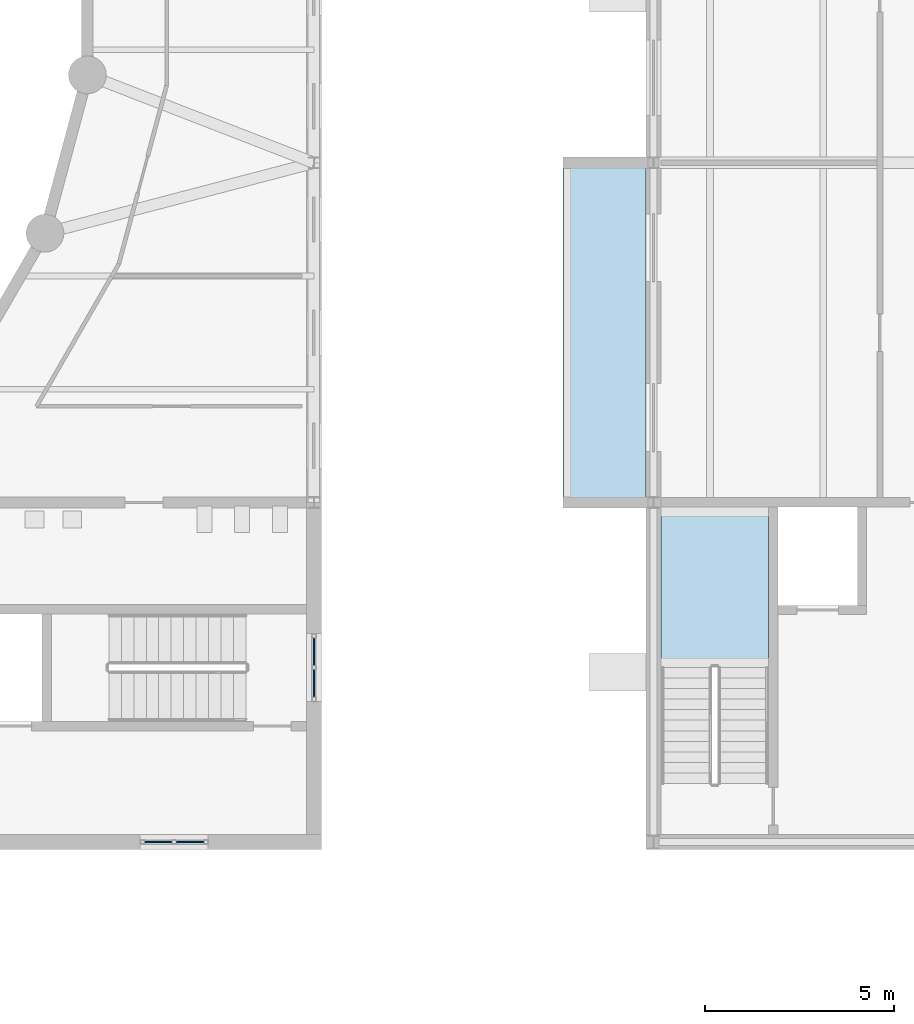
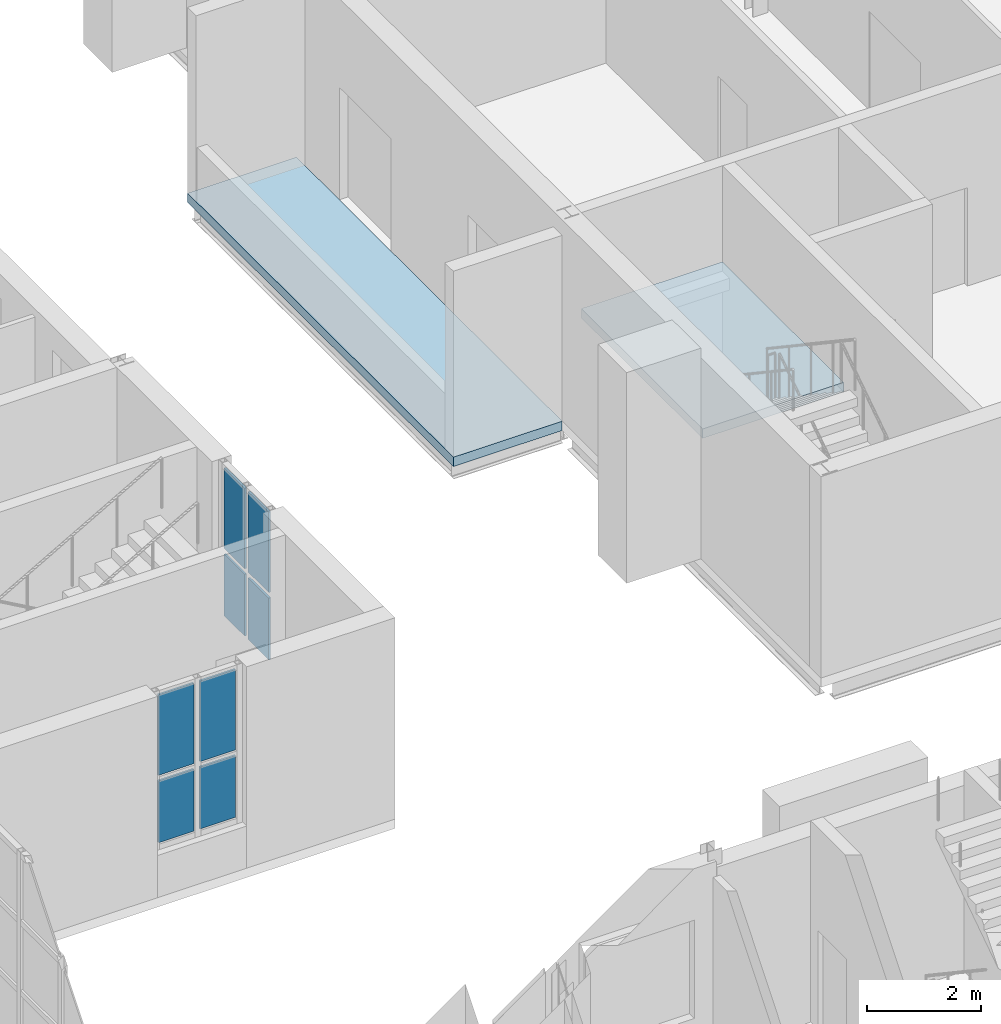
# One storey, part 66 of 134: 8 plates, 2 slabs, 3 elements without a shape of their own.
"""IFC4 building model written with IfcOpenShell, lengths in metres."""

from ifc_helpers import new_model, si_unit, direction, frame, origin, origin_2d, place, context, subcontext, project, spatial, polyline, rectangle, outline, extrude, material, layer, layer_set, type_object, element, aggregate, save


model = new_model("IFC4")

# Units and contexts
model_context = context("Model", 3, precision=1e-05, world=origin(), true_north=direction((0.0, 1.0)))
body_context = subcontext(model_context, "Body", "Model", "MODEL_VIEW")
ifc_project = project(units=[si_unit("LENGTHUNIT", "METRE"), si_unit("AREAUNIT", "SQUARE_METRE"), si_unit("VOLUMEUNIT", "CUBIC_METRE"), si_unit("PLANEANGLEUNIT", "RADIAN"), si_unit("MASSUNIT", "GRAM", prefix="KILO")], contexts=[model_context])

# Site, building, storey
site_placement = place(None, origin())
site = spatial("IfcSite", under=ifc_project, at=site_placement, CompositionType="ELEMENT")
building_placement = place(site_placement, origin())
building = spatial("IfcBuilding", under=site, at=building_placement, Name="Golden Quay Civic Hall", CompositionType="ELEMENT")
storey_placement = place(building_placement, frame((0.0, 0.0, 5.39990234375)))
storey = spatial("IfcBuildingStorey", under=building, at=storey_placement, Name="L01", CompositionType="ELEMENT", Elevation=5.39990234375)

# Stair, slab
ifc_material_1 = material(Name="Concrete C40/50", Category="concrete")
stair_type = type_object("IfcStairType", Name="Concrete half-turn stair 24 risers", PredefinedType="HALF_TURN_STAIR", material=ifc_material_1)
stair_placement = place(storey_placement, origin())
stair = element("IfcStair", 1, at=stair_placement, inside=storey, type_object=stair_type, Name="L01 Protected Exit Stair LB-W", PredefinedType="HALF_TURN_STAIR")
ifc_material_2 = material(Name="Concrete C35/45", Category="concrete")
ifc_layer_1 = layer(ifc_material_2, 0.199951171875)
ifc_layer_set_1 = layer_set([ifc_layer_1], Name="Concrete stair landing 200, Concrete C35/45")
slab_type_1 = type_object("IfcSlabType", Name="Concrete stair landing 200", PredefinedType="LANDING", material=ifc_layer_set_1)
slab_1_placement = place(storey_placement, frame((0.0, 0.0, 2.050048828125)))
slab_1 = element("IfcSlab", 2, at=slab_1_placement, type_object=slab_type_1, Name="LB-STW landing 1", PredefinedType="LANDING", context=body_context, shape_type="SweptSolid", body=[
    extrude(outline(polyline([(120.050048828125, 67.6298828125), (120.050048828125, 71.875), (117.199951171875, 71.875), (117.199951171875, 67.6298828125), (120.050048828125, 67.6298828125)])), origin(), (0.0, 0.0, 1.0), 0.199951171875),
])
aggregate(stair, [slab_1])

# Curtain wall, plates
ifc_material_3 = material(Name="Fire-resisting glass and steel", Category="steel")
curtain_wall_type = type_object("IfcCurtainWallType", Name="Fire-resisting glazed stair curtain wall EI 120", PredefinedType="NOTDEFINED", material=ifc_material_3)
curtain_wall_1_placement = place(storey_placement, origin())
curtain_wall_1 = element("IfcCurtainWall", 3, at=curtain_wall_1_placement, inside=storey, type_object=curtain_wall_type, Name="CW4 stair curtain wall", PredefinedType="NOTDEFINED")
ifc_material_4 = material(Name="Fire-resisting laminated glass", Category="glass")
ifc_layer_2 = layer(ifc_material_4, 0.0400390625)
ifc_layer_set_2 = layer_set([ifc_layer_2], Name="Fire-resisting glazed stair panel 40")
plate_type = type_object("IfcPlateType", Name="Fire-resisting glazed stair panel 40", PredefinedType="CURTAIN_PANEL", material=ifc_layer_set_2)
plate_1_placement = place(storey_placement, frame((103.8798828125, 63.0, 1.02001953125), z_axis=(0.0, 0.0, 1.0), x_axis=(1.0, 0.0, 0.0)))
plate_1 = element("IfcPlate", 4, at=plate_1_placement, type_object=plate_type, Name="CW4 panel 1.1", PredefinedType="CURTAIN_PANEL", context=body_context, shape_type="SweptSolid", body=[
    extrude(rectangle(XDim=0.719970703125, YDim=0.0400390625, at=origin_2d()), origin(), (0.0, 0.0, 1.0), 1.320068359375),
])
plate_2_placement = place(storey_placement, frame((103.8798828125, 63.0, 2.4599609375), z_axis=(0.0, 0.0, 1.0), x_axis=(1.0, 0.0, 0.0)))
plate_2 = element("IfcPlate", 5, at=plate_2_placement, type_object=plate_type, Name="CW4 panel 1.2", PredefinedType="CURTAIN_PANEL", context=body_context, shape_type="SweptSolid", body=[
    extrude(rectangle(XDim=0.719970703125, YDim=0.0400390625, at=origin_2d()), origin(), (0.0, 0.0, 1.0), 1.719970703125),
])
plate_3_placement = place(storey_placement, frame((104.719970703125, 63.0, 1.02001953125), z_axis=(0.0, 0.0, 1.0), x_axis=(1.0, 0.0, 0.0)))
plate_3 = element("IfcPlate", 6, at=plate_3_placement, type_object=plate_type, Name="CW4 panel 2.1", PredefinedType="CURTAIN_PANEL", context=body_context, shape_type="SweptSolid", body=[
    extrude(rectangle(XDim=0.719970703125, YDim=0.0400390625, at=origin_2d()), origin(), (0.0, 0.0, 1.0), 1.320068359375),
])
plate_4_placement = place(storey_placement, frame((104.719970703125, 63.0, 2.4599609375), z_axis=(0.0, 0.0, 1.0), x_axis=(1.0, 0.0, 0.0)))
plate_4 = element("IfcPlate", 7, at=plate_4_placement, type_object=plate_type, Name="CW4 panel 2.2", PredefinedType="CURTAIN_PANEL", context=body_context, shape_type="SweptSolid", body=[
    extrude(rectangle(XDim=0.719970703125, YDim=0.0400390625, at=origin_2d()), origin(), (0.0, 0.0, 1.0), 1.719970703125),
])
aggregate(curtain_wall_1, [plate_1, plate_2, plate_3, plate_4])

curtain_wall_2_placement = place(storey_placement, origin())
curtain_wall_2 = element("IfcCurtainWall", 8, at=curtain_wall_2_placement, inside=storey, type_object=curtain_wall_type, Name="CW4 stair curtain wall", PredefinedType="NOTDEFINED")
plate_5_placement = place(storey_placement, frame((108.0, 67.205078125, 1.02001953125), z_axis=(0.0, 0.0, 1.0), x_axis=(0.0, 1.0, 0.0)))
plate_5 = element("IfcPlate", 9, at=plate_5_placement, type_object=plate_type, Name="CW4 panel 1.1", PredefinedType="CURTAIN_PANEL", context=body_context, shape_type="SweptSolid", body=[
    extrude(rectangle(XDim=0.719970703125, YDim=0.0400390625, at=origin_2d()), origin(), (0.0, 0.0, 1.0), 1.320068359375),
])
plate_6_placement = place(storey_placement, frame((108.0, 67.205078125, 2.4599609375), z_axis=(0.0, 0.0, 1.0), x_axis=(0.0, 1.0, 0.0)))
plate_6 = element("IfcPlate", 10, at=plate_6_placement, type_object=plate_type, Name="CW4 panel 1.2", PredefinedType="CURTAIN_PANEL", context=body_context, shape_type="SweptSolid", body=[
    extrude(rectangle(XDim=0.719970703125, YDim=0.0400390625, at=origin_2d()), origin(), (0.0, 0.0, 1.0), 1.719970703125),
])
plate_7_placement = place(storey_placement, frame((108.0, 68.044921875, 1.02001953125), z_axis=(0.0, 0.0, 1.0), x_axis=(0.0, 1.0, 0.0)))
plate_7 = element("IfcPlate", 11, at=plate_7_placement, type_object=plate_type, Name="CW4 panel 2.1", PredefinedType="CURTAIN_PANEL", context=body_context, shape_type="SweptSolid", body=[
    extrude(rectangle(XDim=0.719970703125, YDim=0.0400390625, at=origin_2d()), origin(), (0.0, 0.0, 1.0), 1.320068359375),
])
plate_8_placement = place(storey_placement, frame((108.0, 68.044921875, 2.4599609375), z_axis=(0.0, 0.0, 1.0), x_axis=(0.0, 1.0, 0.0)))
plate_8 = element("IfcPlate", 12, at=plate_8_placement, type_object=plate_type, Name="CW4 panel 2.2", PredefinedType="CURTAIN_PANEL", context=body_context, shape_type="SweptSolid", body=[
    extrude(rectangle(XDim=0.719970703125, YDim=0.0400390625, at=origin_2d()), origin(), (0.0, 0.0, 1.0), 1.719970703125),
])
aggregate(curtain_wall_2, [plate_5, plate_6, plate_7, plate_8])

# Slab
ifc_material_5 = material(Name="Concrete C35/45", Category="concrete")
ifc_layer_3 = layer(ifc_material_5, 0.199951171875)
ifc_layer_set_3 = layer_set([ifc_layer_3], Name="Loggia deck 200")
slab_type_2 = type_object("IfcSlabType", Name="Loggia deck 200", PredefinedType="FLOOR", material=ifc_layer_set_3)
slab_2_placement = place(storey_placement, frame((0.0, 0.0, -0.199951171875)))
element("IfcSlab", 13, at=slab_2_placement, inside=storey, type_object=slab_type_2, Name="Loggia deck 200 L01 10", PredefinedType="FLOOR", context=body_context, shape_type="SweptSolid", body=[
    extrude(outline(polyline([(116.800048828125, 71.85009765625), (116.800048828125, 81.14990234375), (114.60009765625, 81.14990234375), (114.60009765625, 71.85009765625), (116.800048828125, 71.85009765625)])), origin(), (0.0, 0.0, 1.0), 0.199951171875),
])

save(model, "model.ifc")
